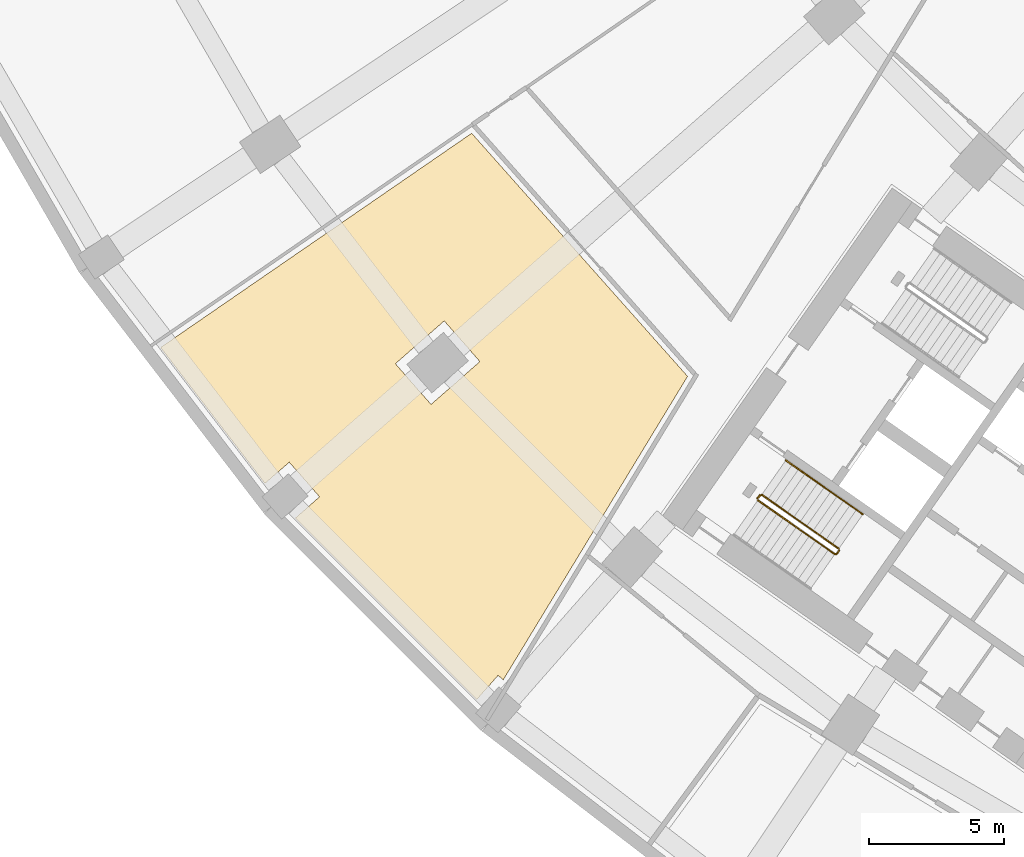
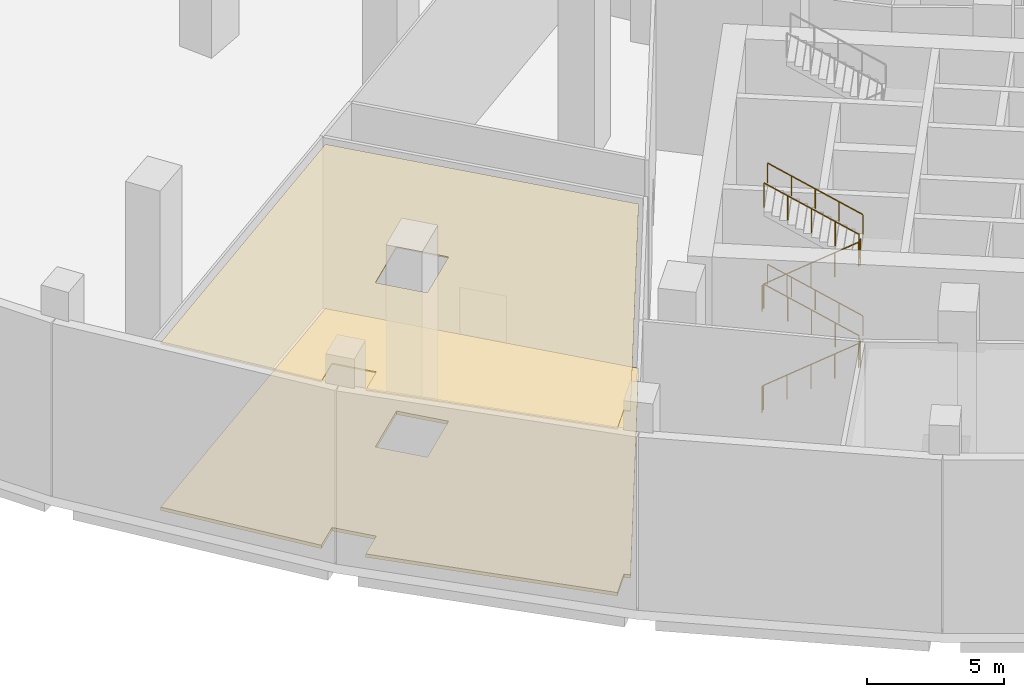
# One storey, part 14 of 17: 7 railings, 2 coverings.
"""IFC4 building model written with IfcOpenShell, lengths in metres."""

from ifc_helpers import new_model, si_unit, direction, frame, origin, origin_2d, place, context, subcontext, project, spatial, polyline, circle, outline, extrude, material, layer, layer_set, type_object, element, save


model = new_model("IFC4")

# Units and contexts
model_context = context("Model", 3, precision=1e-05, world=origin(), true_north=direction((0.0, 1.0)))
body_context = subcontext(model_context, "Body", "Model", "MODEL_VIEW")
ifc_project = project(units=[si_unit("LENGTHUNIT", "METRE"), si_unit("AREAUNIT", "SQUARE_METRE"), si_unit("VOLUMEUNIT", "CUBIC_METRE"), si_unit("PLANEANGLEUNIT", "RADIAN"), si_unit("MASSUNIT", "GRAM", prefix="KILO")], contexts=[model_context])

# Site, building, storey
site_placement = place(None, origin())
site = spatial("IfcSite", under=ifc_project, at=site_placement, CompositionType="ELEMENT")
building_placement = place(site_placement, origin())
building = spatial("IfcBuilding", under=site, at=building_placement, Name="Qamariyya Broadcast Tower", CompositionType="ELEMENT")
storey_placement = place(building_placement, frame((0.0, 0.0, 18.0)))
storey = spatial("IfcBuildingStorey", under=building, at=storey_placement, Name="L02", CompositionType="ELEMENT", Elevation=18.0)

# Covering
ifc_material_1 = material(Name="Raised access floor")
ifc_layer_1 = layer(ifc_material_1, 0.14990234375)
ifc_layer_set_1 = layer_set([ifc_layer_1], Name="Raised access floor 150")
covering_type_1 = type_object("IfcCoveringType", Name="Raised access floor 150", PredefinedType="FLOORING", material=ifc_layer_set_1)
covering_1_placement = place(storey_placement, origin())
element("IfcCovering", 1, at=covering_1_placement, inside=storey, type_object=covering_type_1, Name="Flooring L02-F09", PredefinedType="FLOORING", context=body_context, shape_type="SweptSolid", body=[
    extrude(outline(polyline([(-56.031494140625, -62.986572265625), (-56.221923828125, -62.819580078125), (-57.00830078125, -63.716552734375), (-63.716552734375, -57.00830078125), (-62.819580078125, -56.221923828125), (-63.9404296875, -54.94384765625), (-64.83740234375, -55.730224609375), (-68.695068359375, -50.70263671875), (-57.197265625, -42.787109375), (-49.21875, -51.77099609375), (-56.031494140625, -62.986572265625)]), holes=[polyline([(-58.212646484375, -49.72119140625), (-60.01708984375, -51.303466796875), (-58.698486328125, -52.80712890625), (-56.89404296875, -51.224853515625), (-58.212646484375, -49.72119140625)])]), origin(), (0.0, 0.0, 1.0), 0.14990234375),
])

# Railings
ifc_material_2 = material(Name="Painted steel", Category="steel")
railing_type_1 = type_object("IfcRailingType", Name="Stair guard", PredefinedType="GUARDRAIL", material=ifc_material_2)
railing_1_placement = place(storey_placement, frame((-46.624267578125, -56.34765625, 0.173095703125)))
element("IfcRailing", 2, at=railing_1_placement, inside=storey, type_object=railing_type_1, Name="L02 ST-W1 stair guard 1", PredefinedType="GUARDRAIL", context=body_context, shape_type="SweptSolid", body=[
    extrude(circle(Radius=0.02392578125, at=origin_2d()), frame((0.0, 0.0, 1.076171875), z_axis=(0.703392637411, -0.492543525477, 0.512483827206), x_axis=(0.573594173421, 0.819139624372, 0.0)), (0.0, 0.0, 1.0), 4.052734375),
    extrude(circle(Radius=0.02392578125, at=origin_2d()), frame((2.8505859375, -1.99609375, 3.15283203125), z_axis=(0.984957024646, 0.172799478008, 0.0), x_axis=(-0.172799478008, 0.984957024646, 0.0)), (0.0, 0.0, 1.0), 0.070556640625),
    extrude(circle(Radius=0.02392578125, at=origin_2d()), frame((2.920166015625, -1.98388671875, 3.15283203125), z_axis=(0.574444878118, 0.818543268254, 0.0), x_axis=(-0.818543268254, 0.574444878118, 0.0)), (0.0, 0.0, 1.0), 0.150146484375),
    extrude(circle(Radius=0.02099609375, at=origin_2d()), origin(), (0.0, 0.0, 1.0), 1.052001953125),
    extrude(circle(Radius=0.02099609375, at=origin_2d()), frame((0.712646484375, -0.4990234375, 0.519287109375)), (0.0, 0.0, 1.0), 1.052001953125),
    extrude(circle(Radius=0.02099609375, at=origin_2d()), frame((1.42529296875, -0.998046875, 1.03857421875)), (0.0, 0.0, 1.0), 1.052001953125),
    extrude(circle(Radius=0.02099609375, at=origin_2d()), frame((2.137939453125, -1.4970703125, 1.5576171875)), (0.0, 0.0, 1.0), 1.052001953125),
    extrude(circle(Radius=0.02099609375, at=origin_2d()), frame((2.8505859375, -1.99609375, 2.076904296875)), (0.0, 0.0, 1.0), 1.052001953125),
    extrude(circle(Radius=0.02099609375, at=origin_2d()), frame((2.920166015625, -1.98388671875, 2.076904296875)), (0.0, 0.0, 1.0), 1.052001953125),
    extrude(circle(Radius=0.02099609375, at=origin_2d()), frame((3.00634765625, -1.861083984375, 2.076904296875)), (0.0, 0.0, 1.0), 1.052001953125),
])
railing_2_placement = place(storey_placement, frame((-43.63037109375, -58.138916015625, 2.423095703125)))
element("IfcRailing", 3, at=railing_2_placement, inside=storey, type_object=railing_type_1, Name="L02 ST-W1 stair guard 2", PredefinedType="GUARDRAIL", context=body_context, shape_type="SweptSolid", body=[
    extrude(circle(Radius=0.02392578125, at=origin_2d()), frame((0.0, 0.0, 1.076171875), z_axis=(-0.703413508203, 0.492497895646, 0.512499033426), x_axis=(-0.57354709673, -0.81917258733, 0.0)), (0.0, 0.0, 1.0), 4.052490234375),
    extrude(circle(Radius=0.02392578125, at=origin_2d()), frame((-2.8505859375, 1.995849609375, 3.15283203125), z_axis=(-0.755650002112, -0.65497562879, 0.0), x_axis=(0.65497562879, -0.755650002112, 0.0)), (0.0, 0.0, 1.0), 0.2060546875),
    extrude(circle(Radius=0.02392578125, at=origin_2d()), frame((-3.00634765625, 1.86083984375, 3.15283203125), z_axis=(0.574444878118, 0.818543268254, 0.0), x_axis=(-0.818543268254, 0.574444878118, 0.0)), (0.0, 0.0, 1.0), 0.150146484375),
    extrude(circle(Radius=0.02099609375, at=origin_2d()), origin(), (0.0, 0.0, 1.0), 1.052001953125),
    extrude(circle(Radius=0.02099609375, at=origin_2d()), frame((-0.712646484375, 0.4990234375, 0.519287109375)), (0.0, 0.0, 1.0), 1.052001953125),
    extrude(circle(Radius=0.02099609375, at=origin_2d()), frame((-1.42529296875, 0.998046875, 1.03857421875)), (0.0, 0.0, 1.0), 1.052001953125),
    extrude(circle(Radius=0.02099609375, at=origin_2d()), frame((-2.137939453125, 1.496826171875, 1.5576171875)), (0.0, 0.0, 1.0), 1.052001953125),
    extrude(circle(Radius=0.02099609375, at=origin_2d()), frame((-2.8505859375, 1.995849609375, 2.076904296875)), (0.0, 0.0, 1.0), 1.052001953125),
    extrude(circle(Radius=0.02099609375, at=origin_2d()), frame((-3.00634765625, 1.86083984375, 2.076904296875)), (0.0, 0.0, 1.0), 1.052001953125),
    extrude(circle(Radius=0.02099609375, at=origin_2d()), frame((-2.920166015625, 1.983642578125, 2.076904296875)), (0.0, 0.0, 1.0), 1.052001953125),
])
railing_3_placement = place(storey_placement, frame((-46.624267578125, -56.34765625, 4.673095703125)))
element("IfcRailing", 4, at=railing_3_placement, inside=storey, type_object=railing_type_1, Name="L02 ST-W1 stair guard 3", PredefinedType="GUARDRAIL", context=body_context, shape_type="SweptSolid", body=[
    extrude(circle(Radius=0.02392578125, at=origin_2d()), frame((0.0, 0.0, 1.076171875), z_axis=(0.703392637411, -0.492543525477, 0.512483827206), x_axis=(0.573594173421, 0.819139624372, 0.0)), (0.0, 0.0, 1.0), 4.052734375),
    extrude(circle(Radius=0.02392578125, at=origin_2d()), frame((2.8505859375, -1.99609375, 3.15283203125), z_axis=(0.984957024646, 0.172799478008, 0.0), x_axis=(-0.172799478008, 0.984957024646, 0.0)), (0.0, 0.0, 1.0), 0.070556640625),
    extrude(circle(Radius=0.02392578125, at=origin_2d()), frame((2.920166015625, -1.98388671875, 3.15283203125), z_axis=(0.574444878118, 0.818543268254, 0.0), x_axis=(-0.818543268254, 0.574444878118, 0.0)), (0.0, 0.0, 1.0), 0.150146484375),
    extrude(circle(Radius=0.02099609375, at=origin_2d()), origin(), (0.0, 0.0, 1.0), 1.052001953125),
    extrude(circle(Radius=0.02099609375, at=origin_2d()), frame((0.712646484375, -0.4990234375, 0.519287109375)), (0.0, 0.0, 1.0), 1.052001953125),
    extrude(circle(Radius=0.02099609375, at=origin_2d()), frame((1.42529296875, -0.998046875, 1.03857421875)), (0.0, 0.0, 1.0), 1.052001953125),
    extrude(circle(Radius=0.02099609375, at=origin_2d()), frame((2.137939453125, -1.4970703125, 1.5576171875)), (0.0, 0.0, 1.0), 1.052001953125),
    extrude(circle(Radius=0.02099609375, at=origin_2d()), frame((2.8505859375, -1.99609375, 2.076904296875)), (0.0, 0.0, 1.0), 1.052001953125),
    extrude(circle(Radius=0.02099609375, at=origin_2d()), frame((2.920166015625, -1.98388671875, 2.076904296875)), (0.0, 0.0, 1.0), 1.052001953125),
    extrude(circle(Radius=0.02099609375, at=origin_2d()), frame((3.00634765625, -1.861083984375, 2.076904296875)), (0.0, 0.0, 1.0), 1.052001953125),
])
railing_4_placement = place(storey_placement, frame((-43.63037109375, -58.138916015625, 6.923095703125)))
element("IfcRailing", 5, at=railing_4_placement, inside=storey, type_object=railing_type_1, Name="L02 ST-W1 stair guard 4", PredefinedType="GUARDRAIL", context=body_context, shape_type="SweptSolid", body=[
    extrude(circle(Radius=0.02392578125, at=origin_2d()), frame((0.0, 0.0, 1.076171875), z_axis=(-0.703413508203, 0.492497895646, 0.512499033426), x_axis=(-0.57354709673, -0.81917258733, 0.0)), (0.0, 0.0, 1.0), 4.052490234375),
    extrude(circle(Radius=0.02099609375, at=origin_2d()), origin(), (0.0, 0.0, 1.0), 1.052001953125),
    extrude(circle(Radius=0.02099609375, at=origin_2d()), frame((-0.712646484375, 0.4990234375, 0.519287109375)), (0.0, 0.0, 1.0), 1.052001953125),
    extrude(circle(Radius=0.02099609375, at=origin_2d()), frame((-1.42529296875, 0.998046875, 1.03857421875)), (0.0, 0.0, 1.0), 1.052001953125),
    extrude(circle(Radius=0.02099609375, at=origin_2d()), frame((-2.137939453125, 1.496826171875, 1.5576171875)), (0.0, 0.0, 1.0), 1.052001953125),
    extrude(circle(Radius=0.02099609375, at=origin_2d()), frame((-2.8505859375, 1.995849609375, 2.076904296875)), (0.0, 0.0, 1.0), 1.052001953125),
])
railing_5_placement = place(storey_placement, frame((-46.63671875, -56.278076171875, 0.0)))
element("IfcRailing", 6, at=railing_5_placement, inside=storey, type_object=railing_type_1, Name="L02 ST-W1 stair guard 5", PredefinedType="GUARDRAIL", context=body_context, shape_type="SweptSolid", body=[
    extrude(circle(Radius=0.02392578125, at=origin_2d()), frame((0.0, 0.0, 1.076171875), z_axis=(0.574444878118, 0.818543268254, 0.0), x_axis=(-0.818543268254, 0.574444878118, 0.0)), (0.0, 0.0, 1.0), 0.150146484375),
    extrude(circle(Radius=0.02099609375, at=origin_2d()), origin(), (0.0, 0.0, 1.0), 1.052001953125),
    extrude(circle(Radius=0.02099609375, at=origin_2d()), frame((0.086181640625, 0.122802734375, 0.0)), (0.0, 0.0, 1.0), 1.052001953125),
])
ifc_material_3 = material(Name="Stainless steel", Category="steel")
railing_type_2 = type_object("IfcRailingType", Name="Stair handrail", PredefinedType="HANDRAIL", material=ifc_material_3)
for number, where, name in (
    (7, (-42.7412109375, -56.869384765625, 2.423095703125), "L02 ST-W1 stair handrail 2"),
    (8, (-42.7412109375, -56.869384765625, 6.923095703125), "L02 ST-W1 stair handrail 4"),
):
    element("IfcRailing", number, at=place(storey_placement, frame(where)), inside=storey, type_object=railing_type_2, Name=name, PredefinedType="HANDRAIL", context=body_context, shape_type="SweptSolid", body=[
        extrude(circle(Radius=0.02392578125, at=origin_2d()), frame((0.0, 0.0, 0.8759765625), z_axis=(-0.703392637411, 0.492543525477, 0.512483827206), x_axis=(-0.573594173421, -0.819139624372, 0.0)), (0.0, 0.0, 1.0), 4.052734375),
        extrude(circle(Radius=0.02099609375, at=origin_2d()), origin(), (0.0, 0.0, 1.0), 0.851806640625),
        extrude(circle(Radius=0.02099609375, at=origin_2d()), frame((-0.712646484375, 0.4990234375, 0.519287109375)), (0.0, 0.0, 1.0), 0.851806640625),
        extrude(circle(Radius=0.02099609375, at=origin_2d()), frame((-1.42529296875, 0.998046875, 1.03857421875)), (0.0, 0.0, 1.0), 0.851806640625),
        extrude(circle(Radius=0.02099609375, at=origin_2d()), frame((-2.137939453125, 1.4970703125, 1.5576171875)), (0.0, 0.0, 1.0), 0.851806640625),
        extrude(circle(Radius=0.02099609375, at=origin_2d()), frame((-2.8505859375, 1.99609375, 2.076904296875)), (0.0, 0.0, 1.0), 0.851806640625),
    ])

# Covering
ifc_material_4 = material(Name="Perforated plasterboard ceiling")
ifc_layer_2 = layer(ifc_material_4, 0.06005859375)
ifc_layer_set_2 = layer_set([ifc_layer_2], Name="Suspended acoustic ceiling 60")
covering_type_2 = type_object("IfcCoveringType", Name="Suspended acoustic ceiling 60", PredefinedType="CEILING", material=ifc_layer_set_2)
covering_2_placement = place(storey_placement, frame((0.0, 0.0, 7.389892578125)))
element("IfcCovering", 9, at=covering_2_placement, inside=storey, type_object=covering_type_2, Name="Ceiling L02-C09", PredefinedType="CEILING", context=body_context, shape_type="SweptSolid", body=[
    extrude(outline(polyline([(-56.031494140625, -62.986572265625), (-56.221923828125, -62.819580078125), (-57.00830078125, -63.716552734375), (-63.716552734375, -57.00830078125), (-62.819580078125, -56.221923828125), (-63.9404296875, -54.94384765625), (-64.83740234375, -55.730224609375), (-68.695068359375, -50.70263671875), (-57.197265625, -42.787109375), (-49.21875, -51.77099609375), (-56.031494140625, -62.986572265625)]), holes=[polyline([(-58.212646484375, -49.72119140625), (-60.01708984375, -51.303466796875), (-58.698486328125, -52.80712890625), (-56.89404296875, -51.224853515625), (-58.212646484375, -49.72119140625)])]), origin(), (0.0, 0.0, 1.0), 0.06005859375),
])

save(model, "model.ifc")
